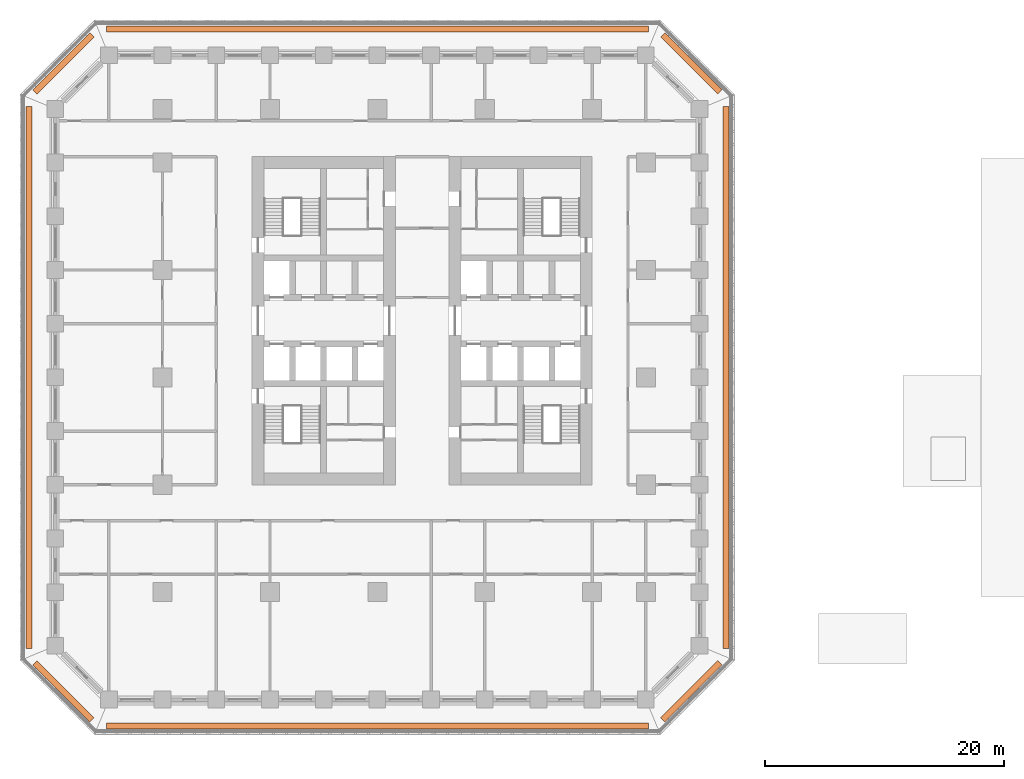
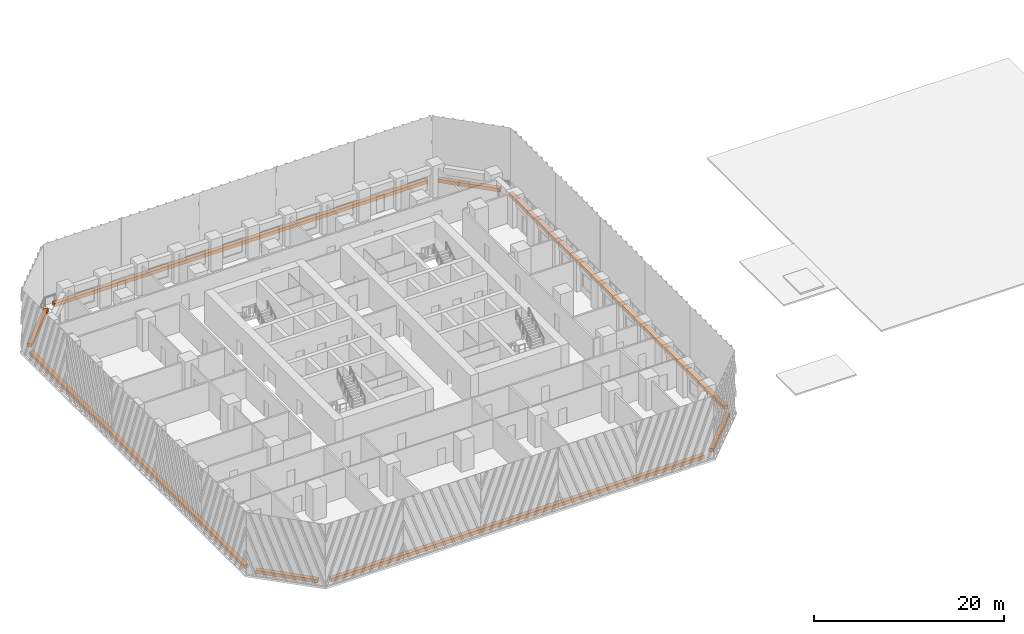
# One storey, part 15 of 15: 8 proxies.
"""IFC4 building model written with IfcOpenShell, lengths in metres."""

from ifc_helpers import new_model, si_unit, direction, frame, origin, origin_2d, place, context, subcontext, project, spatial, rectangle, extrude, material, type_object, element, save


model = new_model("IFC4")

# Units and contexts
model_context = context("Model", 3, precision=1e-05, world=origin(), true_north=direction((0.0, 1.0)))
body_context = subcontext(model_context, "Body", "Model", "MODEL_VIEW")
ifc_project = project(units=[si_unit("LENGTHUNIT", "METRE"), si_unit("AREAUNIT", "SQUARE_METRE"), si_unit("VOLUMEUNIT", "CUBIC_METRE"), si_unit("PLANEANGLEUNIT", "RADIAN"), si_unit("MASSUNIT", "GRAM", prefix="KILO")], contexts=[model_context])

# Site, building, storey
site_placement = place(None, origin())
site = spatial("IfcSite", under=ifc_project, at=site_placement, CompositionType="ELEMENT")
building_placement = place(site_placement, origin())
building = spatial("IfcBuilding", under=site, at=building_placement, Name="Corbel Stack Research Tower", CompositionType="ELEMENT")
storey_placement = place(building_placement, frame((0.0, 0.0, 23.60009765625)))
storey = spatial("IfcBuildingStorey", under=building, at=storey_placement, Name="L05", CompositionType="ELEMENT", Elevation=23.60009765625)

# Proxies
ifc_material = material(Name="Concrete C45/55", Category="concrete")
building_element_proxy_type = type_object("IfcBuildingElementProxyType", Name="Planter box", PredefinedType="USERDEFINED", material=ifc_material)
proxy_1_placement = place(storey_placement, frame((0.0, -29.199951171875, 0.0), z_axis=(0.0, 0.0, 1.0), x_axis=(1.0, 0.0, 0.0)))
element("IfcBuildingElementProxy", 1, at=proxy_1_placement, inside=storey, type_object=building_element_proxy_type, Name="Planter L05 S", ObjectType="PLANTER", PredefinedType="USERDEFINED", context=body_context, shape_type="SweptSolid", body=[
    extrude(rectangle(XDim=45.41064453125, YDim=0.5, at=origin_2d()), origin(), (0.0, 0.0, 1.0), 0.449951171875),
])
proxy_2_placement = place(storey_placement, frame((26.3056640625, -26.3056640625, 0.0), z_axis=(0.0, 0.0, 1.0), x_axis=(0.707106781187, 0.707106781187, 0.0)))
element("IfcBuildingElementProxy", 2, at=proxy_2_placement, inside=storey, type_object=building_element_proxy_type, Name="Planter L05 SE", ObjectType="PLANTER", PredefinedType="USERDEFINED", context=body_context, shape_type="SweptSolid", body=[
    extrude(rectangle(XDim=6.774658203125, YDim=0.5, at=origin_2d()), origin(), (0.0, 0.0, 1.0), 0.449951171875),
])
proxy_3_placement = place(storey_placement, frame((29.199951171875, 0.0, 0.0), z_axis=(0.0, 0.0, 1.0), x_axis=(0.0, 1.0, 0.0)))
element("IfcBuildingElementProxy", 3, at=proxy_3_placement, inside=storey, type_object=building_element_proxy_type, Name="Planter L05 E", ObjectType="PLANTER", PredefinedType="USERDEFINED", context=body_context, shape_type="SweptSolid", body=[
    extrude(rectangle(XDim=45.41064453125, YDim=0.5, at=origin_2d()), origin(), (0.0, 0.0, 1.0), 0.449951171875),
])
proxy_4_placement = place(storey_placement, frame((26.3056640625, 26.3056640625, 0.0), z_axis=(0.0, 0.0, 1.0), x_axis=(-0.707106781187, 0.707106781187, 0.0)))
element("IfcBuildingElementProxy", 4, at=proxy_4_placement, inside=storey, type_object=building_element_proxy_type, Name="Planter L05 NE", ObjectType="PLANTER", PredefinedType="USERDEFINED", context=body_context, shape_type="SweptSolid", body=[
    extrude(rectangle(XDim=6.774658203125, YDim=0.5, at=origin_2d()), origin(), (0.0, 0.0, 1.0), 0.449951171875),
])
proxy_5_placement = place(storey_placement, frame((0.0, 29.199951171875, 0.0), z_axis=(0.0, 0.0, 1.0), x_axis=(-1.0, 0.0, 0.0)))
element("IfcBuildingElementProxy", 5, at=proxy_5_placement, inside=storey, type_object=building_element_proxy_type, Name="Planter L05 N", ObjectType="PLANTER", PredefinedType="USERDEFINED", context=body_context, shape_type="SweptSolid", body=[
    extrude(rectangle(XDim=45.41064453125, YDim=0.5, at=origin_2d()), origin(), (0.0, 0.0, 1.0), 0.449951171875),
])
proxy_6_placement = place(storey_placement, frame((-26.3056640625, 26.3056640625, 0.0), z_axis=(0.0, 0.0, 1.0), x_axis=(-0.707106781187, -0.707106781187, 0.0)))
element("IfcBuildingElementProxy", 6, at=proxy_6_placement, inside=storey, type_object=building_element_proxy_type, Name="Planter L05 NW", ObjectType="PLANTER", PredefinedType="USERDEFINED", context=body_context, shape_type="SweptSolid", body=[
    extrude(rectangle(XDim=6.774658203125, YDim=0.5, at=origin_2d()), origin(), (0.0, 0.0, 1.0), 0.449951171875),
])
proxy_7_placement = place(storey_placement, frame((-29.199951171875, 0.0, 0.0), z_axis=(0.0, 0.0, 1.0), x_axis=(0.0, -1.0, 0.0)))
element("IfcBuildingElementProxy", 7, at=proxy_7_placement, inside=storey, type_object=building_element_proxy_type, Name="Planter L05 W", ObjectType="PLANTER", PredefinedType="USERDEFINED", context=body_context, shape_type="SweptSolid", body=[
    extrude(rectangle(XDim=45.41064453125, YDim=0.5, at=origin_2d()), origin(), (0.0, 0.0, 1.0), 0.449951171875),
])
proxy_8_placement = place(storey_placement, frame((-26.3056640625, -26.3056640625, 0.0), z_axis=(0.0, 0.0, 1.0), x_axis=(0.707106781187, -0.707106781187, 0.0)))
element("IfcBuildingElementProxy", 8, at=proxy_8_placement, inside=storey, type_object=building_element_proxy_type, Name="Planter L05 SW", ObjectType="PLANTER", PredefinedType="USERDEFINED", context=body_context, shape_type="SweptSolid", body=[
    extrude(rectangle(XDim=6.774658203125, YDim=0.5, at=origin_2d()), origin(), (0.0, 0.0, 1.0), 0.449951171875),
])

save(model, "model.ifc")
